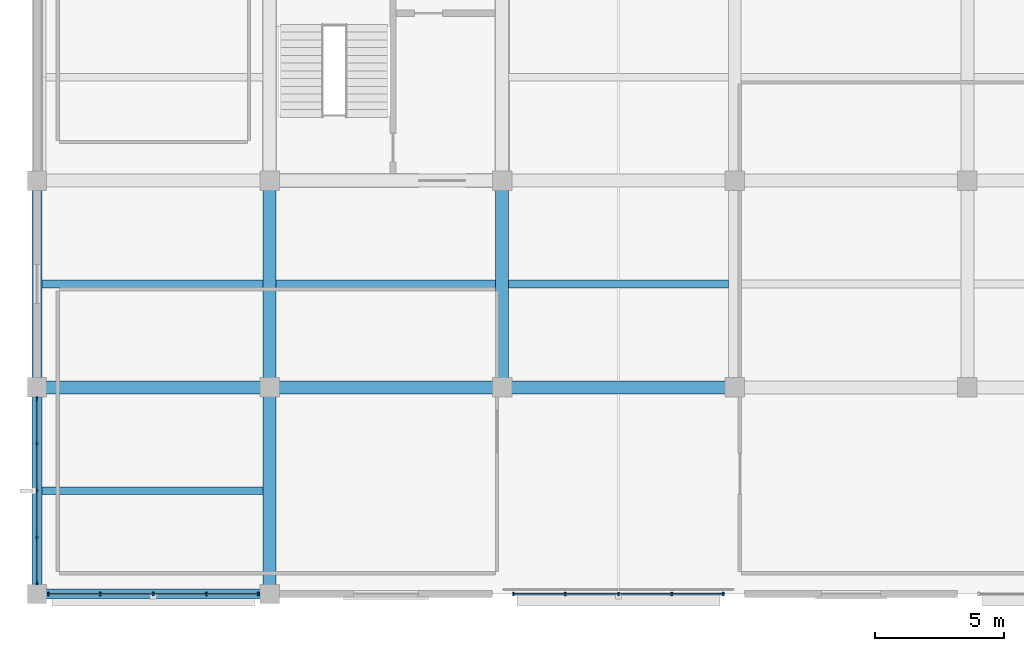
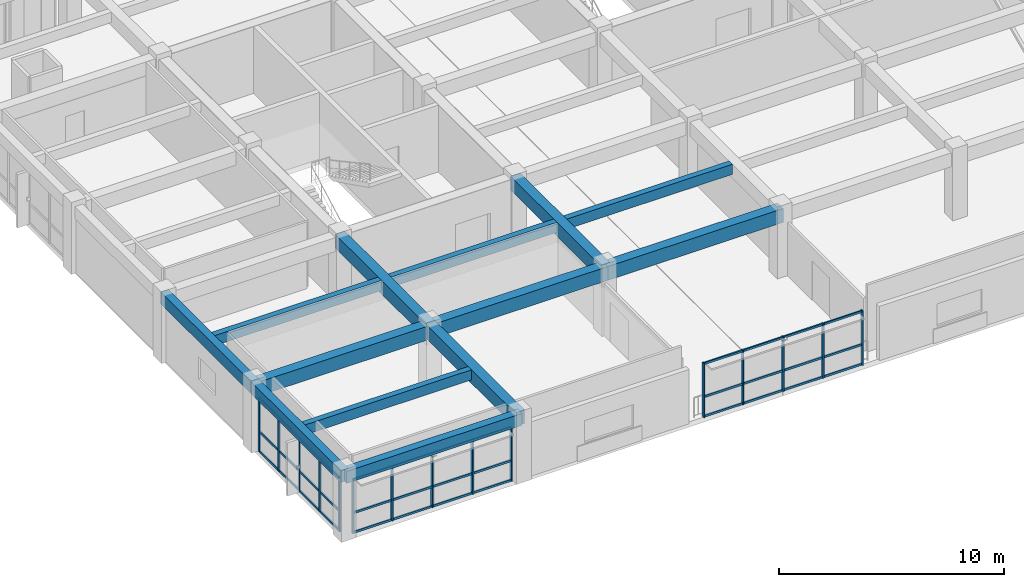
# One storey, part 2 of 15: 24 members, 13 beams, 3 elements without a shape of their own.
"""IFC4 building model written with IfcOpenShell, lengths in metres."""

from ifc_helpers import new_model, si_unit, direction, frame, origin, origin_2d, place, context, subcontext, project, spatial, rectangle, extrude, material, material_profile, profile_set, type_object, element, aggregate, save


model = new_model("IFC4")

# Units and contexts
model_context = context("Model", 3, precision=1e-05, world=origin(), true_north=direction((0.0, 1.0)))
body_context = subcontext(model_context, "Body", "Model", "MODEL_VIEW")
ifc_project = project(units=[si_unit("LENGTHUNIT", "METRE"), si_unit("AREAUNIT", "SQUARE_METRE"), si_unit("VOLUMEUNIT", "CUBIC_METRE"), si_unit("PLANEANGLEUNIT", "RADIAN"), si_unit("MASSUNIT", "GRAM", prefix="KILO")], contexts=[model_context])

# Site, building, storey
site_placement = place(None, origin())
site = spatial("IfcSite", under=ifc_project, at=site_placement, CompositionType="ELEMENT")
building_placement = place(site_placement, origin())
building = spatial("IfcBuilding", under=site, at=building_placement, Name="Zaverband Oceanarium and Marine Research Institute", CompositionType="ELEMENT")
storey_placement = place(building_placement, frame((0.0, 0.0, 49.199951171875)))
storey = spatial("IfcBuildingStorey", under=building, at=storey_placement, Name="L12", CompositionType="ELEMENT", Elevation=49.199951171875)

# Beams
ifc_material_1 = material(Name="Concrete C40/50", Category="concrete")
ifc_material_profile_1 = material_profile(ifc_material_1, rectangle(XDim=0.5, YDim=0.75, at=origin_2d()), Name="RC500x750")
ifc_profile_set_1 = profile_set([ifc_material_profile_1], Name="Concrete C40/50")
beam_type_1 = type_object("IfcBeamType", Name="BM-500x750", PredefinedType="BEAM", material=ifc_profile_set_1)
for number, where, z_axis, x_axis, name in (
    (1, (9.0, 72.0, 3.2451171875), (1.0, 0.0, 0.0), (0.0, 1.0, 0.0), "Primary floor girder BM-500x750"),
    (2, (18.0, 72.0, 3.2451171875), (1.0, 0.0, 0.0), (0.0, 1.0, 0.0), "Primary floor girder BM-500x750"),
    (3, (27.0, 72.0, 3.2451171875), (1.0, 0.0, 0.0), (0.0, 1.0, 0.0), "Primary floor girder BM-500x750"),
):
    element("IfcBeam", number, at=place(storey_placement, frame(where, z_axis=z_axis, x_axis=x_axis)), inside=storey, type_object=beam_type_1, Name=name, PredefinedType="BEAM", context=body_context, shape_type="SweptSolid", body=[
        extrude(rectangle(XDim=0.5, YDim=0.75, at=origin_2d()), origin(), (0.0, 0.0, 1.0), 9.0),
    ])
for number, where, z_axis, x_axis, name in (
    (4, (18.0, 64.0, 3.2451171875), (0.0, 1.0, 0.0), (-1.0, 0.0, 0.0), "Primary floor girder BM-500x750"),
    (5, (18.0, 72.0, 3.2451171875), (0.0, 1.0, 0.0), (-1.0, 0.0, 0.0), "Primary floor girder BM-500x750"),
    (6, (27.0, 72.0, 3.2451171875), (0.0, 1.0, 0.0), (-1.0, 0.0, 0.0), "Primary floor girder BM-500x750"),
):
    element("IfcBeam", number, at=place(storey_placement, frame(where, z_axis=z_axis, x_axis=x_axis)), inside=storey, type_object=beam_type_1, Name=name, PredefinedType="BEAM", context=body_context, shape_type="SweptSolid", body=[
        extrude(rectangle(XDim=0.5, YDim=0.75, at=origin_2d()), origin(), (0.0, 0.0, 1.0), 8.0),
    ])
ifc_material_profile_2 = material_profile(ifc_material_1, rectangle(XDim=0.300048828125, YDim=0.550048828125, at=origin_2d()), Name="RC300x550")
ifc_profile_set_2 = profile_set([ifc_material_profile_2], Name="Concrete C40/50")
beam_type_2 = type_object("IfcBeamType", Name="JST-300x550", PredefinedType="JOIST", material=ifc_profile_set_2)
for number, where, z_axis, x_axis, name in (
    (7, (9.199951171875, 68.0, 3.344970703125), (1.0, 0.0, 0.0), (0.0, 1.0, 0.0), "Secondary floor joist JST-300x550"),
    (8, (9.199951171875, 76.0, 3.344970703125), (1.0, 0.0, 0.0), (0.0, 1.0, 0.0), "Secondary floor joist JST-300x550"),
):
    element("IfcBeam", number, at=place(storey_placement, frame(where, z_axis=z_axis, x_axis=x_axis)), inside=storey, type_object=beam_type_2, Name=name, PredefinedType="JOIST", context=body_context, shape_type="SweptSolid", body=[
        extrude(rectangle(XDim=0.300048828125, YDim=0.550048828125, at=origin_2d()), origin(), (0.0, 0.0, 1.0), 8.550048828125),
    ])
for number, where, z_axis, x_axis, name in (
    (9, (18.25, 76.0, 3.344970703125), (1.0, 0.0, 0.0), (0.0, 1.0, 0.0), "Secondary floor joist JST-300x550"),
    (10, (27.25, 76.0, 3.344970703125), (1.0, 0.0, 0.0), (0.0, 1.0, 0.0), "Secondary floor joist JST-300x550"),
):
    element("IfcBeam", number, at=place(storey_placement, frame(where, z_axis=z_axis, x_axis=x_axis)), inside=storey, type_object=beam_type_2, Name=name, PredefinedType="JOIST", context=body_context, shape_type="SweptSolid", body=[
        extrude(rectangle(XDim=0.300048828125, YDim=0.550048828125, at=origin_2d()), origin(), (0.0, 0.0, 1.0), 8.5),
    ])

# Curtain wall, members
ifc_material_2 = material(Name="Thermally broken anodized aluminium and solar-control glass", Category="aluminium")
curtain_wall_type = type_object("IfcCurtainWallType", Name="CW-UNIT-1800", PredefinedType="NOTDEFINED", material=ifc_material_2)
curtain_wall_1_placement = place(storey_placement, origin())
curtain_wall_1 = element("IfcCurtainWall", 11, at=curtain_wall_1_placement, inside=storey, type_object=curtain_wall_type, Name="Unitised glazed curtain wall CW-130", PredefinedType="NOTDEFINED")
ifc_material_3 = material(Name="Thermally broken anodized aluminium", Category="aluminium")
ifc_material_profile_3 = material_profile(ifc_material_3, rectangle(XDim=0.070068359375, YDim=0.14990234375, at=origin_2d()), Name="AL-MUL-70x150")
ifc_profile_set_3 = profile_set([ifc_material_profile_3], Name="Thermally broken anodized aluminium")
member_type_1 = type_object("IfcMemberType", Name="MUL-70x150", PredefinedType="MULLION", material=ifc_profile_set_3)
member_1_placement = place(storey_placement, frame((9.43994140625, 64.0, 0.0), z_axis=(0.0, 0.0, 1.0), x_axis=(1.0, 0.0, 0.0)))
member_1 = element("IfcMember", 12, at=member_1_placement, type_object=member_type_1, Name="Curtain wall vertical mullion MUL-70x150", PredefinedType="MULLION", context=body_context, shape_type="SweptSolid", body=[
    extrude(rectangle(XDim=0.070068359375, YDim=0.14990234375, at=origin_2d()), origin(), (0.0, 0.0, 1.0), 2.949951171875),
])
member_2_placement = place(storey_placement, frame((11.43994140625, 64.0, 0.0), z_axis=(0.0, 0.0, 1.0), x_axis=(1.0, 0.0, 0.0)))
member_2 = element("IfcMember", 13, at=member_2_placement, type_object=member_type_1, Name="Curtain wall vertical mullion MUL-70x150", PredefinedType="MULLION", context=body_context, shape_type="SweptSolid", body=[
    extrude(rectangle(XDim=0.070068359375, YDim=0.14990234375, at=origin_2d()), origin(), (0.0, 0.0, 1.0), 2.949951171875),
])
member_3_placement = place(storey_placement, frame((13.5, 64.0, 0.0), z_axis=(0.0, 0.0, 1.0), x_axis=(1.0, 0.0, 0.0)))
member_3 = element("IfcMember", 14, at=member_3_placement, type_object=member_type_1, Name="Curtain wall vertical mullion MUL-70x150", PredefinedType="MULLION", context=body_context, shape_type="SweptSolid", body=[
    extrude(rectangle(XDim=0.070068359375, YDim=0.14990234375, at=origin_2d()), origin(), (0.0, 0.0, 1.0), 2.949951171875),
])
member_4_placement = place(storey_placement, frame((15.56005859375, 64.0, 0.0), z_axis=(0.0, 0.0, 1.0), x_axis=(1.0, 0.0, 0.0)))
member_4 = element("IfcMember", 15, at=member_4_placement, type_object=member_type_1, Name="Curtain wall vertical mullion MUL-70x150", PredefinedType="MULLION", context=body_context, shape_type="SweptSolid", body=[
    extrude(rectangle(XDim=0.070068359375, YDim=0.14990234375, at=origin_2d()), origin(), (0.0, 0.0, 1.0), 2.949951171875),
])
member_5_placement = place(storey_placement, frame((17.56005859375, 64.0, 0.0), z_axis=(0.0, 0.0, 1.0), x_axis=(1.0, 0.0, 0.0)))
member_5 = element("IfcMember", 16, at=member_5_placement, type_object=member_type_1, Name="Curtain wall vertical mullion MUL-70x150", PredefinedType="MULLION", context=body_context, shape_type="SweptSolid", body=[
    extrude(rectangle(XDim=0.070068359375, YDim=0.14990234375, at=origin_2d()), origin(), (0.0, 0.0, 1.0), 2.949951171875),
])

curtain_wall_2_placement = place(storey_placement, origin())
curtain_wall_2 = element("IfcCurtainWall", 17, at=curtain_wall_2_placement, inside=storey, type_object=curtain_wall_type, Name="Unitised glazed curtain wall CW-131", PredefinedType="NOTDEFINED")
member_6_placement = place(storey_placement, frame((27.43994140625, 64.0, 0.0), z_axis=(0.0, 0.0, 1.0), x_axis=(1.0, 0.0, 0.0)))
member_6 = element("IfcMember", 18, at=member_6_placement, type_object=member_type_1, Name="Curtain wall vertical mullion MUL-70x150", PredefinedType="MULLION", context=body_context, shape_type="SweptSolid", body=[
    extrude(rectangle(XDim=0.070068359375, YDim=0.14990234375, at=origin_2d()), origin(), (0.0, 0.0, 1.0), 2.949951171875),
])
member_7_placement = place(storey_placement, frame((29.43994140625, 64.0, 0.0), z_axis=(0.0, 0.0, 1.0), x_axis=(1.0, 0.0, 0.0)))
member_7 = element("IfcMember", 19, at=member_7_placement, type_object=member_type_1, Name="Curtain wall vertical mullion MUL-70x150", PredefinedType="MULLION", context=body_context, shape_type="SweptSolid", body=[
    extrude(rectangle(XDim=0.070068359375, YDim=0.14990234375, at=origin_2d()), origin(), (0.0, 0.0, 1.0), 2.949951171875),
])
member_8_placement = place(storey_placement, frame((31.5, 64.0, 0.0), z_axis=(0.0, 0.0, 1.0), x_axis=(1.0, 0.0, 0.0)))
member_8 = element("IfcMember", 20, at=member_8_placement, type_object=member_type_1, Name="Curtain wall vertical mullion MUL-70x150", PredefinedType="MULLION", context=body_context, shape_type="SweptSolid", body=[
    extrude(rectangle(XDim=0.070068359375, YDim=0.14990234375, at=origin_2d()), origin(), (0.0, 0.0, 1.0), 2.949951171875),
])
member_9_placement = place(storey_placement, frame((33.56005859375, 64.0, 0.0), z_axis=(0.0, 0.0, 1.0), x_axis=(1.0, 0.0, 0.0)))
member_9 = element("IfcMember", 21, at=member_9_placement, type_object=member_type_1, Name="Curtain wall vertical mullion MUL-70x150", PredefinedType="MULLION", context=body_context, shape_type="SweptSolid", body=[
    extrude(rectangle(XDim=0.070068359375, YDim=0.14990234375, at=origin_2d()), origin(), (0.0, 0.0, 1.0), 2.949951171875),
])
member_10_placement = place(storey_placement, frame((35.56005859375, 64.0, 0.0), z_axis=(0.0, 0.0, 1.0), x_axis=(1.0, 0.0, 0.0)))
member_10 = element("IfcMember", 22, at=member_10_placement, type_object=member_type_1, Name="Curtain wall vertical mullion MUL-70x150", PredefinedType="MULLION", context=body_context, shape_type="SweptSolid", body=[
    extrude(rectangle(XDim=0.070068359375, YDim=0.14990234375, at=origin_2d()), origin(), (0.0, 0.0, 1.0), 2.949951171875),
])

curtain_wall_3_placement = place(storey_placement, origin())
curtain_wall_3 = element("IfcCurtainWall", 23, at=curtain_wall_3_placement, inside=storey, type_object=curtain_wall_type, Name="Unitised glazed curtain wall CW-136", PredefinedType="NOTDEFINED")
member_11_placement = place(storey_placement, frame((9.0, 64.43994140625, 0.0), z_axis=(0.0, 0.0, 1.0), x_axis=(1.0, 0.0, 0.0)))
member_11 = element("IfcMember", 24, at=member_11_placement, type_object=member_type_1, Name="Curtain wall vertical mullion MUL-70x150", PredefinedType="MULLION", context=body_context, shape_type="SweptSolid", body=[
    extrude(rectangle(XDim=0.070068359375, YDim=0.14990234375, at=origin_2d()), origin(), (0.0, 0.0, 1.0), 2.949951171875),
])
member_12_placement = place(storey_placement, frame((9.0, 66.18994140625, 0.0), z_axis=(0.0, 0.0, 1.0), x_axis=(1.0, 0.0, 0.0)))
member_12 = element("IfcMember", 25, at=member_12_placement, type_object=member_type_1, Name="Curtain wall vertical mullion MUL-70x150", PredefinedType="MULLION", context=body_context, shape_type="SweptSolid", body=[
    extrude(rectangle(XDim=0.070068359375, YDim=0.14990234375, at=origin_2d()), origin(), (0.0, 0.0, 1.0), 2.949951171875),
])
member_13_placement = place(storey_placement, frame((9.0, 68.0, 0.0), z_axis=(0.0, 0.0, 1.0), x_axis=(1.0, 0.0, 0.0)))
member_13 = element("IfcMember", 26, at=member_13_placement, type_object=member_type_1, Name="Curtain wall vertical mullion MUL-70x150", PredefinedType="MULLION", context=body_context, shape_type="SweptSolid", body=[
    extrude(rectangle(XDim=0.070068359375, YDim=0.14990234375, at=origin_2d()), origin(), (0.0, 0.0, 1.0), 2.949951171875),
])
member_14_placement = place(storey_placement, frame((9.0, 69.81005859375, 0.0), z_axis=(0.0, 0.0, 1.0), x_axis=(1.0, 0.0, 0.0)))
member_14 = element("IfcMember", 27, at=member_14_placement, type_object=member_type_1, Name="Curtain wall vertical mullion MUL-70x150", PredefinedType="MULLION", context=body_context, shape_type="SweptSolid", body=[
    extrude(rectangle(XDim=0.070068359375, YDim=0.14990234375, at=origin_2d()), origin(), (0.0, 0.0, 1.0), 2.949951171875),
])
member_15_placement = place(storey_placement, frame((9.0, 71.56005859375, 0.0), z_axis=(0.0, 0.0, 1.0), x_axis=(1.0, 0.0, 0.0)))
member_15 = element("IfcMember", 28, at=member_15_placement, type_object=member_type_1, Name="Curtain wall vertical mullion MUL-70x150", PredefinedType="MULLION", context=body_context, shape_type="SweptSolid", body=[
    extrude(rectangle(XDim=0.070068359375, YDim=0.14990234375, at=origin_2d()), origin(), (0.0, 0.0, 1.0), 2.949951171875),
])

# Beams
ifc_material_profile_4 = material_profile(ifc_material_1, rectangle(XDim=0.39990234375, YDim=0.64990234375, at=origin_2d()), Name="RC400x650")
ifc_profile_set_4 = profile_set([ifc_material_profile_4], Name="Concrete C40/50")
beam_type_3 = type_object("IfcBeamType", Name="SPN-400x650", PredefinedType="SPANDREL", material=ifc_profile_set_4)
beam_placement = place(storey_placement, frame((9.0, 64.0, 3.295166015625), z_axis=(1.0, 0.0, 0.0), x_axis=(0.0, 1.0, 0.0)))
element("IfcBeam", 29, at=beam_placement, inside=storey, type_object=beam_type_3, Name="Perimeter spandrel beam SPN-400x650", PredefinedType="SPANDREL", context=body_context, shape_type="SweptSolid", body=[
    extrude(rectangle(XDim=0.39990234375, YDim=0.64990234375, at=origin_2d()), origin(), (0.0, 0.0, 1.0), 9.0),
])
for number, where, z_axis, x_axis, name in (
    (30, (9.0, 64.0, 3.295166015625), (0.0, 1.0, 0.0), (-1.0, 0.0, 0.0), "Perimeter spandrel beam SPN-400x650"),
    (31, (9.0, 72.0, 3.295166015625), (0.0, 1.0, 0.0), (-1.0, 0.0, 0.0), "Perimeter spandrel beam SPN-400x650"),
):
    element("IfcBeam", number, at=place(storey_placement, frame(where, z_axis=z_axis, x_axis=x_axis)), inside=storey, type_object=beam_type_3, Name=name, PredefinedType="SPANDREL", context=body_context, shape_type="SweptSolid", body=[
        extrude(rectangle(XDim=0.39990234375, YDim=0.64990234375, at=origin_2d()), origin(), (0.0, 0.0, 1.0), 8.0),
    ])

# Member
ifc_material_profile_5 = material_profile(ifc_material_3, rectangle(XDim=0.070068359375, YDim=0.114990234375, at=origin_2d()), Name="AL-TRN-70x115")
ifc_profile_set_5 = profile_set([ifc_material_profile_5], Name="Thermally broken anodized aluminium")
member_type_2 = type_object("IfcMemberType", Name="TRN-70x115", PredefinedType="USERDEFINED", material=ifc_profile_set_5)
member_16_placement = place(storey_placement, frame((9.43994140625, 64.0, 0.050048828125), z_axis=(1.0, 0.0, 0.0), x_axis=(0.0, 1.0, 0.0)))
member_16 = element("IfcMember", 32, at=member_16_placement, type_object=member_type_2, Name="Curtain wall horizontal transom TRN-70x115", ObjectType="TRANSOM", PredefinedType="USERDEFINED", context=body_context, shape_type="SweptSolid", body=[
    extrude(rectangle(XDim=0.070068359375, YDim=0.114990234375, at=origin_2d()), origin(), (0.0, 0.0, 1.0), 8.1201171875),
])

member_17_placement = place(storey_placement, frame((9.43994140625, 64.0, 1.112060546875), z_axis=(1.0, 0.0, 0.0), x_axis=(0.0, 1.0, 0.0)))
member_17 = element("IfcMember", 33, at=member_17_placement, type_object=member_type_2, Name="Curtain wall horizontal transom TRN-70x115", ObjectType="TRANSOM", PredefinedType="USERDEFINED", context=body_context, shape_type="SweptSolid", body=[
    extrude(rectangle(XDim=0.070068359375, YDim=0.114990234375, at=origin_2d()), origin(), (0.0, 0.0, 1.0), 8.1201171875),
])

member_18_placement = place(storey_placement, frame((9.43994140625, 64.0, 2.900146484375), z_axis=(1.0, 0.0, 0.0), x_axis=(0.0, 1.0, 0.0)))
member_18 = element("IfcMember", 34, at=member_18_placement, type_object=member_type_2, Name="Curtain wall horizontal transom TRN-70x115", ObjectType="TRANSOM", PredefinedType="USERDEFINED", context=body_context, shape_type="SweptSolid", body=[
    extrude(rectangle(XDim=0.070068359375, YDim=0.114990234375, at=origin_2d()), origin(), (0.0, 0.0, 1.0), 8.1201171875),
])

aggregate(curtain_wall_1, [member_1, member_2, member_3, member_4, member_5, member_16, member_17, member_18])

member_19_placement = place(storey_placement, frame((27.43994140625, 64.0, 0.050048828125), z_axis=(1.0, 0.0, 0.0), x_axis=(0.0, 1.0, 0.0)))
member_19 = element("IfcMember", 35, at=member_19_placement, type_object=member_type_2, Name="Curtain wall horizontal transom TRN-70x115", ObjectType="TRANSOM", PredefinedType="USERDEFINED", context=body_context, shape_type="SweptSolid", body=[
    extrude(rectangle(XDim=0.070068359375, YDim=0.114990234375, at=origin_2d()), origin(), (0.0, 0.0, 1.0), 8.1201171875),
])

member_20_placement = place(storey_placement, frame((27.43994140625, 64.0, 1.112060546875), z_axis=(1.0, 0.0, 0.0), x_axis=(0.0, 1.0, 0.0)))
member_20 = element("IfcMember", 36, at=member_20_placement, type_object=member_type_2, Name="Curtain wall horizontal transom TRN-70x115", ObjectType="TRANSOM", PredefinedType="USERDEFINED", context=body_context, shape_type="SweptSolid", body=[
    extrude(rectangle(XDim=0.070068359375, YDim=0.114990234375, at=origin_2d()), origin(), (0.0, 0.0, 1.0), 8.1201171875),
])

member_21_placement = place(storey_placement, frame((27.43994140625, 64.0, 2.900146484375), z_axis=(1.0, 0.0, 0.0), x_axis=(0.0, 1.0, 0.0)))
member_21 = element("IfcMember", 37, at=member_21_placement, type_object=member_type_2, Name="Curtain wall horizontal transom TRN-70x115", ObjectType="TRANSOM", PredefinedType="USERDEFINED", context=body_context, shape_type="SweptSolid", body=[
    extrude(rectangle(XDim=0.070068359375, YDim=0.114990234375, at=origin_2d()), origin(), (0.0, 0.0, 1.0), 8.1201171875),
])

aggregate(curtain_wall_2, [member_6, member_7, member_8, member_9, member_10, member_19, member_20, member_21])

member_22_placement = place(storey_placement, frame((9.0, 64.43994140625, 0.050048828125), z_axis=(0.0, 1.0, 0.0), x_axis=(-1.0, 0.0, 0.0)))
member_22 = element("IfcMember", 38, at=member_22_placement, type_object=member_type_2, Name="Curtain wall horizontal transom TRN-70x115", ObjectType="TRANSOM", PredefinedType="USERDEFINED", context=body_context, shape_type="SweptSolid", body=[
    extrude(rectangle(XDim=0.070068359375, YDim=0.114990234375, at=origin_2d()), origin(), (0.0, 0.0, 1.0), 7.1201171875),
])

member_23_placement = place(storey_placement, frame((9.0, 64.43994140625, 1.112060546875), z_axis=(0.0, 1.0, 0.0), x_axis=(-1.0, 0.0, 0.0)))
member_23 = element("IfcMember", 39, at=member_23_placement, type_object=member_type_2, Name="Curtain wall horizontal transom TRN-70x115", ObjectType="TRANSOM", PredefinedType="USERDEFINED", context=body_context, shape_type="SweptSolid", body=[
    extrude(rectangle(XDim=0.070068359375, YDim=0.114990234375, at=origin_2d()), origin(), (0.0, 0.0, 1.0), 7.1201171875),
])

member_24_placement = place(storey_placement, frame((9.0, 64.43994140625, 2.900146484375), z_axis=(0.0, 1.0, 0.0), x_axis=(-1.0, 0.0, 0.0)))
member_24 = element("IfcMember", 40, at=member_24_placement, type_object=member_type_2, Name="Curtain wall horizontal transom TRN-70x115", ObjectType="TRANSOM", PredefinedType="USERDEFINED", context=body_context, shape_type="SweptSolid", body=[
    extrude(rectangle(XDim=0.070068359375, YDim=0.114990234375, at=origin_2d()), origin(), (0.0, 0.0, 1.0), 7.1201171875),
])

aggregate(curtain_wall_3, [member_11, member_12, member_13, member_14, member_15, member_22, member_23, member_24])

save(model, "model.ifc")
